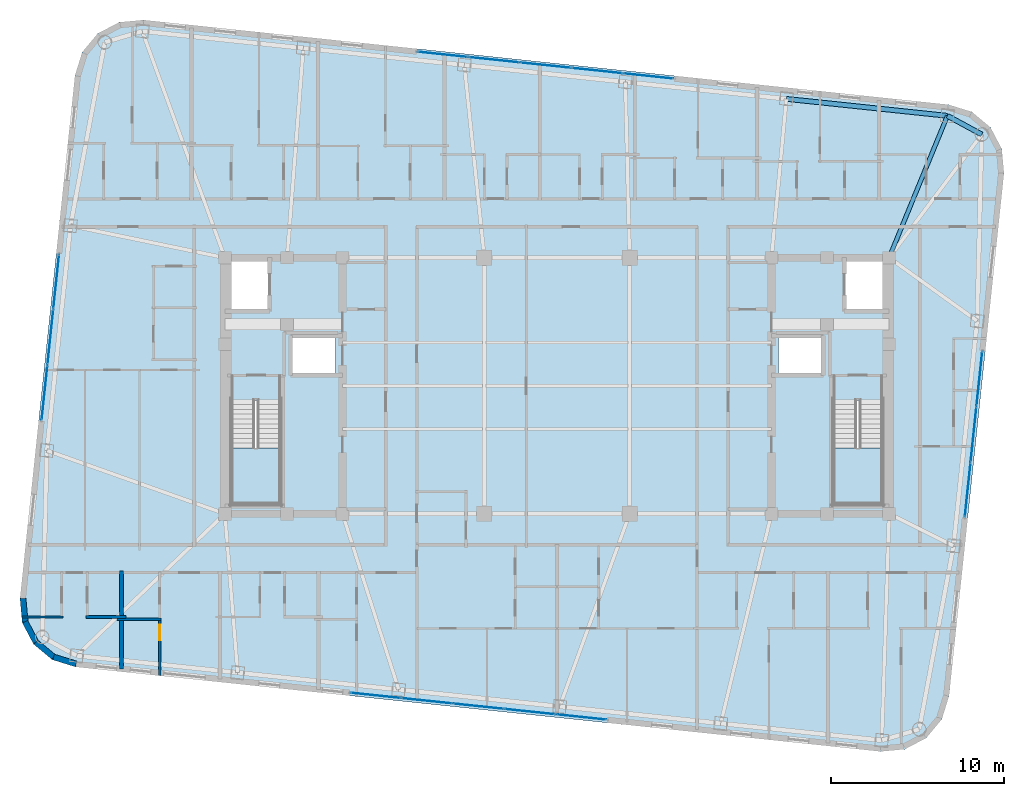
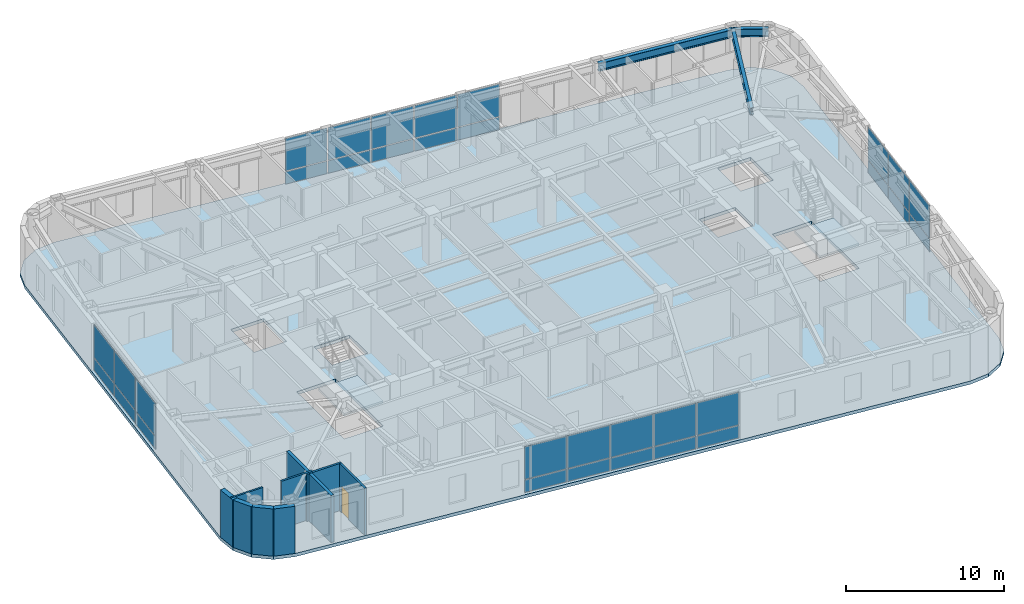
# One storey, part 14 of 23: 32 plates, 9 walls, 3 beams, 3 slabs, 1 door, 1 opening, 6 elements without a shape of their own.
"""IFC4 building model written with IfcOpenShell, lengths in metres."""

from ifc_helpers import new_model, si_unit, direction, frame, frame_2d, origin, origin_2d, place, context, subcontext, project, spatial, polyline, rectangle, i_section, outline, extrude, material, layer, layer_set, material_profile, profile_set, type_object, element, fill, aggregate, save


model = new_model("IFC4")

# Units and contexts
model_context = context("Model", 3, precision=1e-05, world=origin(), true_north=direction((0.0, 1.0)))
body_context = subcontext(model_context, "Body", "Model", "MODEL_VIEW")
ifc_project = project(units=[si_unit("LENGTHUNIT", "METRE"), si_unit("AREAUNIT", "SQUARE_METRE"), si_unit("VOLUMEUNIT", "CUBIC_METRE"), si_unit("PLANEANGLEUNIT", "RADIAN"), si_unit("MASSUNIT", "GRAM", prefix="KILO")], contexts=[model_context])

# Site, building, storey
site_placement = place(None, origin())
site = spatial("IfcSite", under=ifc_project, at=site_placement, CompositionType="ELEMENT")
building_placement = place(site_placement, origin())
building = spatial("IfcBuilding", under=site, at=building_placement, Name="Voryun Gate Residences", CompositionType="ELEMENT")
storey_placement = place(building_placement, frame((0.0, 0.0, 275.60009765625)))
storey = spatial("IfcBuildingStorey", under=building, at=storey_placement, Name="L68", CompositionType="ELEMENT", Elevation=275.60009765625)

# Beams
ifc_material_1 = material(Name="Steel SM355", Category="steel")
ifc_material_profile_1 = material_profile(ifc_material_1, i_section(OverallWidth=0.280029296875, OverallDepth=0.6201171875, WebThickness=0.013916015625, FlangeThickness=0.02197265625, FilletRadius=0.01806640625, at=origin_2d()), Name="H-620x280x14x22")
ifc_profile_set_1 = profile_set([ifc_material_profile_1], Name="Steel SM355")
beam_type_1 = type_object("IfcBeamType", Name="BM_EXO_SPANDREL_H", PredefinedType="SPANDREL", material=ifc_profile_set_1)
beam_1_placement = place(storey_placement, frame((24.55322265625, 14.52734375, 3.33984375), z_axis=(-0.878844363117, 0.477108567746, 0.0), x_axis=(-0.477108567746, -0.878844363117, 0.0)))
element("IfcBeam", 1, at=beam_1_placement, inside=storey, type_object=beam_type_1, Name="BM-L68-SPAND-10", PredefinedType="SPANDREL", context=body_context, shape_type="SweptSolid", body=[
    extrude(i_section(OverallWidth=0.280029296875, OverallDepth=0.6201171875, WebThickness=0.013916015625, FlangeThickness=0.02197265625, FilletRadius=0.01806640625, at=origin_2d()), origin(), (0.0, 0.0, 1.0), 2.257568359375),
])
beam_2_placement = place(storey_placement, frame((22.569091796875, 15.6044921875, 3.33984375), z_axis=(-0.994520592114, 0.104540862157, 0.0), x_axis=(-0.104540862157, -0.994520592114, 0.0)))
element("IfcBeam", 2, at=beam_2_placement, inside=storey, type_object=beam_type_1, Name="BM-L68-SPAND-11", PredefinedType="SPANDREL", context=body_context, shape_type="SweptSolid", body=[
    extrude(i_section(OverallWidth=0.280029296875, OverallDepth=0.6201171875, WebThickness=0.013916015625, FlangeThickness=0.02197265625, FilletRadius=0.01806640625, at=origin_2d()), origin(), (0.0, 0.0, 1.0), 9.360107421875),
])
ifc_material_2 = material(Name="Steel SM355", Category="steel")
ifc_material_profile_2 = material_profile(ifc_material_2, i_section(OverallWidth=0.239990234375, OverallDepth=0.550048828125, WebThickness=0.011962890625, FlangeThickness=0.02001953125, FilletRadius=0.01806640625, at=origin_2d()), Name="H-550x240x12x20")
ifc_profile_set_2 = profile_set([ifc_material_profile_2], Name="Steel SM355")
beam_type_2 = type_object("IfcBeamType", Name="BM_GIRD_550", PredefinedType="USERDEFINED", material=ifc_profile_set_2)
beam_3_placement = place(storey_placement, frame((19.199951171875, 7.39990234375, 3.375), z_axis=(0.379860811741, 0.925043655026, 0.0), x_axis=(-0.925043655026, 0.379860811741, 0.0)))
element("IfcBeam", 3, at=beam_3_placement, inside=storey, type_object=beam_type_2, Name="BM-L68-RAD-N1", ObjectType="GIRDER", PredefinedType="USERDEFINED", context=body_context, shape_type="SweptSolid", body=[
    extrude(i_section(OverallWidth=0.239990234375, OverallDepth=0.550048828125, WebThickness=0.011962890625, FlangeThickness=0.02001953125, FilletRadius=0.01806640625, at=origin_2d()), origin(), (0.0, 0.0, 1.0), 8.869384765625),
])

# Curtain wall, plates
ifc_material_3 = material(Name="Anodised aluminium", Category="aluminium")
ifc_layer_1 = layer(ifc_material_3, 0.18994140625, Name="CW_SYS_RES_B_DARK_GLASS")
ifc_layer_set_1 = layer_set([ifc_layer_1], Name="Anodised aluminium")
curtain_wall_type = type_object("IfcCurtainWallType", Name="CW_SYS_RES_B_DARK_GLASS", PredefinedType="NOTDEFINED", material=ifc_layer_set_1)
curtain_wall_1_placement = place(storey_placement, origin())
curtain_wall_1 = element("IfcCurtainWall", 4, at=curtain_wall_1_placement, inside=storey, type_object=curtain_wall_type, Name="Curtain wall CWT-L68-01", PredefinedType="NOTDEFINED")
ifc_material_4 = material(Name="Laminated low-E glass", Category="glass")
ifc_layer_2 = layer(ifc_material_4, 0.0439453125, Name="PLT_GLASS_DARK_RES")
ifc_layer_set_2 = layer_set([ifc_layer_2], Name="Laminated low-E glass")
plate_type = type_object("IfcPlateType", Name="PLT_GLASS_DARK_RES", PredefinedType="CURTAIN_PANEL", material=ifc_layer_set_2)
plate_1_placement = place(storey_placement, frame((1.39111328125, -19.152099609375, 0.059814453125), z_axis=(0.0, 0.0, 1.0), x_axis=(-0.994521880536, 0.104528604386, 0.0)))
plate_1 = element("IfcPlate", 5, at=plate_1_placement, type_object=plate_type, Name="CW4 panel 1.1", PredefinedType="CURTAIN_PANEL", context=body_context, shape_type="SweptSolid", body=[
    extrude(rectangle(XDim=2.903076171875, YDim=0.028076171875, at=origin_2d()), origin(), (0.0, 0.0, 1.0), 0.9599609375),
])
plate_2_placement = place(storey_placement, frame((1.39111328125, -19.152099609375, 1.080078125), z_axis=(0.0, 0.0, 1.0), x_axis=(-0.994521880536, 0.104528604386, 0.0)))
plate_2 = element("IfcPlate", 6, at=plate_2_placement, type_object=plate_type, Name="CW4 panel 1.2", PredefinedType="CURTAIN_PANEL", context=body_context, shape_type="SweptSolid", body=[
    extrude(rectangle(XDim=2.903076171875, YDim=0.028076171875, at=origin_2d()), origin(), (0.0, 0.0, 1.0), 2.510009765625),
])
plate_3_placement = place(storey_placement, frame((-1.57080078125, -18.8408203125, 0.059814453125), z_axis=(0.0, 0.0, 1.0), x_axis=(-0.994521880536, 0.104528604386, 0.0)))
plate_3 = element("IfcPlate", 7, at=plate_3_placement, type_object=plate_type, Name="CW4 panel 2.1", PredefinedType="CURTAIN_PANEL", context=body_context, shape_type="SweptSolid", body=[
    extrude(rectangle(XDim=2.93310546875, YDim=0.028076171875, at=origin_2d()), origin(), (0.0, 0.0, 1.0), 0.9599609375),
])
plate_4_placement = place(storey_placement, frame((-1.57080078125, -18.8408203125, 1.080078125), z_axis=(0.0, 0.0, 1.0), x_axis=(-0.994521880536, 0.104528604386, 0.0)))
plate_4 = element("IfcPlate", 8, at=plate_4_placement, type_object=plate_type, Name="CW4 panel 2.2", PredefinedType="CURTAIN_PANEL", context=body_context, shape_type="SweptSolid", body=[
    extrude(rectangle(XDim=2.93310546875, YDim=0.028076171875, at=origin_2d()), origin(), (0.0, 0.0, 1.0), 2.510009765625),
])
plate_5_placement = place(storey_placement, frame((-4.54736328125, -18.52783203125, 0.059814453125), z_axis=(0.0, 0.0, 1.0), x_axis=(-0.994521880536, 0.104528604386, 0.0)))
plate_5 = element("IfcPlate", 9, at=plate_5_placement, type_object=plate_type, Name="CW4 panel 3.1", PredefinedType="CURTAIN_PANEL", context=body_context, shape_type="SweptSolid", body=[
    extrude(rectangle(XDim=2.93310546875, YDim=0.028076171875, at=origin_2d()), origin(), (0.0, 0.0, 1.0), 0.9599609375),
])
plate_6_placement = place(storey_placement, frame((-4.54736328125, -18.52783203125, 1.080078125), z_axis=(0.0, 0.0, 1.0), x_axis=(-0.994521880536, 0.104528604386, 0.0)))
plate_6 = element("IfcPlate", 10, at=plate_6_placement, type_object=plate_type, Name="CW4 panel 3.2", PredefinedType="CURTAIN_PANEL", context=body_context, shape_type="SweptSolid", body=[
    extrude(rectangle(XDim=2.93310546875, YDim=0.028076171875, at=origin_2d()), origin(), (0.0, 0.0, 1.0), 2.510009765625),
])
plate_7_placement = place(storey_placement, frame((-7.52392578125, -18.215087890625, 0.059814453125), z_axis=(0.0, 0.0, 1.0), x_axis=(-0.994521880536, 0.104528604386, 0.0)))
plate_7 = element("IfcPlate", 11, at=plate_7_placement, type_object=plate_type, Name="CW4 panel 4.1", PredefinedType="CURTAIN_PANEL", context=body_context, shape_type="SweptSolid", body=[
    extrude(rectangle(XDim=2.93310546875, YDim=0.028076171875, at=origin_2d()), origin(), (0.0, 0.0, 1.0), 0.9599609375),
])
plate_8_placement = place(storey_placement, frame((-7.52392578125, -18.215087890625, 1.080078125), z_axis=(0.0, 0.0, 1.0), x_axis=(-0.994521880536, 0.104528604386, 0.0)))
plate_8 = element("IfcPlate", 12, at=plate_8_placement, type_object=plate_type, Name="CW4 panel 4.2", PredefinedType="CURTAIN_PANEL", context=body_context, shape_type="SweptSolid", body=[
    extrude(rectangle(XDim=2.93310546875, YDim=0.028076171875, at=origin_2d()), origin(), (0.0, 0.0, 1.0), 2.510009765625),
])
plate_9_placement = place(storey_placement, frame((-10.48583984375, -17.90380859375, 0.059814453125), z_axis=(0.0, 0.0, 1.0), x_axis=(-0.994521880536, 0.104528604386, 0.0)))
plate_9 = element("IfcPlate", 13, at=plate_9_placement, type_object=plate_type, Name="CW4 panel 5.1", PredefinedType="CURTAIN_PANEL", context=body_context, shape_type="SweptSolid", body=[
    extrude(rectangle(XDim=2.903076171875, YDim=0.028076171875, at=origin_2d()), origin(), (0.0, 0.0, 1.0), 0.9599609375),
])
plate_10_placement = place(storey_placement, frame((-10.48583984375, -17.90380859375, 1.080078125), z_axis=(0.0, 0.0, 1.0), x_axis=(-0.994521880536, 0.104528604386, 0.0)))
plate_10 = element("IfcPlate", 14, at=plate_10_placement, type_object=plate_type, Name="CW4 panel 5.2", PredefinedType="CURTAIN_PANEL", context=body_context, shape_type="SweptSolid", body=[
    extrude(rectangle(XDim=2.903076171875, YDim=0.028076171875, at=origin_2d()), origin(), (0.0, 0.0, 1.0), 2.510009765625),
])
aggregate(curtain_wall_1, [plate_1, plate_2, plate_3, plate_4, plate_5, plate_6, plate_7, plate_8, plate_9, plate_10])

curtain_wall_2_placement = place(storey_placement, origin())
curtain_wall_2 = element("IfcCurtainWall", 15, at=curtain_wall_2_placement, inside=storey, type_object=curtain_wall_type, Name="Curtain wall CWT-L68-06", PredefinedType="NOTDEFINED")
plate_11_placement = place(storey_placement, frame((-29.6201171875, -0.40185546875, 0.059814453125), z_axis=(0.0, 0.0, 1.0), x_axis=(0.10453586005, 0.994521117907, 0.0)))
plate_11 = element("IfcPlate", 16, at=plate_11_placement, type_object=plate_type, Name="CW4 panel 1.1", PredefinedType="CURTAIN_PANEL", context=body_context, shape_type="SweptSolid", body=[
    extrude(rectangle(XDim=3.149169921875, YDim=0.028076171875, at=origin_2d()), origin(), (0.0, 0.0, 1.0), 0.9599609375),
])
plate_12_placement = place(storey_placement, frame((-29.6201171875, -0.40185546875, 1.080078125), z_axis=(0.0, 0.0, 1.0), x_axis=(0.10453586005, 0.994521117907, 0.0)))
plate_12 = element("IfcPlate", 17, at=plate_12_placement, type_object=plate_type, Name="CW4 panel 1.2", PredefinedType="CURTAIN_PANEL", context=body_context, shape_type="SweptSolid", body=[
    extrude(rectangle(XDim=3.149169921875, YDim=0.028076171875, at=origin_2d()), origin(), (0.0, 0.0, 1.0), 2.510009765625),
])
plate_13_placement = place(storey_placement, frame((-29.282958984375, 2.804443359375, 0.059814453125), z_axis=(0.0, 0.0, 1.0), x_axis=(0.10453586005, 0.994521117907, 0.0)))
plate_13 = element("IfcPlate", 18, at=plate_13_placement, type_object=plate_type, Name="CW4 panel 2.1", PredefinedType="CURTAIN_PANEL", context=body_context, shape_type="SweptSolid", body=[
    extrude(rectangle(XDim=3.17919921875, YDim=0.028076171875, at=origin_2d()), origin(), (0.0, 0.0, 1.0), 0.9599609375),
])
plate_14_placement = place(storey_placement, frame((-29.282958984375, 2.804443359375, 1.080078125), z_axis=(0.0, 0.0, 1.0), x_axis=(0.10453586005, 0.994521117907, 0.0)))
plate_14 = element("IfcPlate", 19, at=plate_14_placement, type_object=plate_type, Name="CW4 panel 2.2", PredefinedType="CURTAIN_PANEL", context=body_context, shape_type="SweptSolid", body=[
    extrude(rectangle(XDim=3.17919921875, YDim=0.028076171875, at=origin_2d()), origin(), (0.0, 0.0, 1.0), 2.510009765625),
])
plate_15_placement = place(storey_placement, frame((-28.946044921875, 6.010986328125, 0.059814453125), z_axis=(0.0, 0.0, 1.0), x_axis=(0.10453586005, 0.994521117907, 0.0)))
plate_15 = element("IfcPlate", 20, at=plate_15_placement, type_object=plate_type, Name="CW4 panel 3.1", PredefinedType="CURTAIN_PANEL", context=body_context, shape_type="SweptSolid", body=[
    extrude(rectangle(XDim=3.149169921875, YDim=0.028076171875, at=origin_2d()), origin(), (0.0, 0.0, 1.0), 0.9599609375),
])
plate_16_placement = place(storey_placement, frame((-28.946044921875, 6.010986328125, 1.080078125), z_axis=(0.0, 0.0, 1.0), x_axis=(0.10453586005, 0.994521117907, 0.0)))
plate_16 = element("IfcPlate", 21, at=plate_16_placement, type_object=plate_type, Name="CW4 panel 3.2", PredefinedType="CURTAIN_PANEL", context=body_context, shape_type="SweptSolid", body=[
    extrude(rectangle(XDim=3.149169921875, YDim=0.028076171875, at=origin_2d()), origin(), (0.0, 0.0, 1.0), 2.510009765625),
])
aggregate(curtain_wall_2, [plate_11, plate_12, plate_13, plate_14, plate_15, plate_16])

curtain_wall_3_placement = place(storey_placement, origin())
curtain_wall_3 = element("IfcCurtainWall", 22, at=curtain_wall_3_placement, inside=storey, type_object=curtain_wall_type, Name="Curtain wall CWT-L68-11", PredefinedType="NOTDEFINED")
plate_17_placement = place(storey_placement, frame((-6.591064453125, 19.152099609375, 0.059814453125), z_axis=(0.0, 0.0, 1.0), x_axis=(0.994521880536, -0.104528604386, 0.0)))
plate_17 = element("IfcPlate", 23, at=plate_17_placement, type_object=plate_type, Name="CW4 panel 1.1", PredefinedType="CURTAIN_PANEL", context=body_context, shape_type="SweptSolid", body=[
    extrude(rectangle(XDim=2.903076171875, YDim=0.028076171875, at=origin_2d()), origin(), (0.0, 0.0, 1.0), 0.9599609375),
])
plate_18_placement = place(storey_placement, frame((-6.591064453125, 19.152099609375, 1.080078125), z_axis=(0.0, 0.0, 1.0), x_axis=(0.994521880536, -0.104528604386, 0.0)))
plate_18 = element("IfcPlate", 24, at=plate_18_placement, type_object=plate_type, Name="CW4 panel 1.2", PredefinedType="CURTAIN_PANEL", context=body_context, shape_type="SweptSolid", body=[
    extrude(rectangle(XDim=2.903076171875, YDim=0.028076171875, at=origin_2d()), origin(), (0.0, 0.0, 1.0), 2.510009765625),
])
plate_19_placement = place(storey_placement, frame((-3.62939453125, 18.8408203125, 0.059814453125), z_axis=(0.0, 0.0, 1.0), x_axis=(0.994521880536, -0.104528604386, 0.0)))
plate_19 = element("IfcPlate", 25, at=plate_19_placement, type_object=plate_type, Name="CW4 panel 2.1", PredefinedType="CURTAIN_PANEL", context=body_context, shape_type="SweptSolid", body=[
    extrude(rectangle(XDim=2.93310546875, YDim=0.028076171875, at=origin_2d()), origin(), (0.0, 0.0, 1.0), 0.9599609375),
])
plate_20_placement = place(storey_placement, frame((-3.62939453125, 18.8408203125, 1.080078125), z_axis=(0.0, 0.0, 1.0), x_axis=(0.994521880536, -0.104528604386, 0.0)))
plate_20 = element("IfcPlate", 26, at=plate_20_placement, type_object=plate_type, Name="CW4 panel 2.2", PredefinedType="CURTAIN_PANEL", context=body_context, shape_type="SweptSolid", body=[
    extrude(rectangle(XDim=2.93310546875, YDim=0.028076171875, at=origin_2d()), origin(), (0.0, 0.0, 1.0), 2.510009765625),
])
plate_21_placement = place(storey_placement, frame((-0.652587890625, 18.52783203125, 0.059814453125), z_axis=(0.0, 0.0, 1.0), x_axis=(0.994521880536, -0.104528604386, 0.0)))
plate_21 = element("IfcPlate", 27, at=plate_21_placement, type_object=plate_type, Name="CW4 panel 3.1", PredefinedType="CURTAIN_PANEL", context=body_context, shape_type="SweptSolid", body=[
    extrude(rectangle(XDim=2.93310546875, YDim=0.028076171875, at=origin_2d()), origin(), (0.0, 0.0, 1.0), 0.9599609375),
])
plate_22_placement = place(storey_placement, frame((-0.652587890625, 18.52783203125, 1.080078125), z_axis=(0.0, 0.0, 1.0), x_axis=(0.994521880536, -0.104528604386, 0.0)))
plate_22 = element("IfcPlate", 28, at=plate_22_placement, type_object=plate_type, Name="CW4 panel 3.2", PredefinedType="CURTAIN_PANEL", context=body_context, shape_type="SweptSolid", body=[
    extrude(rectangle(XDim=2.93310546875, YDim=0.028076171875, at=origin_2d()), origin(), (0.0, 0.0, 1.0), 2.510009765625),
])
plate_23_placement = place(storey_placement, frame((2.323974609375, 18.215087890625, 0.059814453125), z_axis=(0.0, 0.0, 1.0), x_axis=(0.994521880536, -0.104528604386, 0.0)))
plate_23 = element("IfcPlate", 29, at=plate_23_placement, type_object=plate_type, Name="CW4 panel 4.1", PredefinedType="CURTAIN_PANEL", context=body_context, shape_type="SweptSolid", body=[
    extrude(rectangle(XDim=2.93310546875, YDim=0.028076171875, at=origin_2d()), origin(), (0.0, 0.0, 1.0), 0.9599609375),
])
plate_24_placement = place(storey_placement, frame((2.323974609375, 18.215087890625, 1.080078125), z_axis=(0.0, 0.0, 1.0), x_axis=(0.994521880536, -0.104528604386, 0.0)))
plate_24 = element("IfcPlate", 30, at=plate_24_placement, type_object=plate_type, Name="CW4 panel 4.2", PredefinedType="CURTAIN_PANEL", context=body_context, shape_type="SweptSolid", body=[
    extrude(rectangle(XDim=2.93310546875, YDim=0.028076171875, at=origin_2d()), origin(), (0.0, 0.0, 1.0), 2.510009765625),
])
plate_25_placement = place(storey_placement, frame((5.28564453125, 17.90380859375, 0.059814453125), z_axis=(0.0, 0.0, 1.0), x_axis=(0.994521880536, -0.104528604386, 0.0)))
plate_25 = element("IfcPlate", 31, at=plate_25_placement, type_object=plate_type, Name="CW4 panel 5.1", PredefinedType="CURTAIN_PANEL", context=body_context, shape_type="SweptSolid", body=[
    extrude(rectangle(XDim=2.903076171875, YDim=0.028076171875, at=origin_2d()), origin(), (0.0, 0.0, 1.0), 0.9599609375),
])
plate_26_placement = place(storey_placement, frame((5.28564453125, 17.90380859375, 1.080078125), z_axis=(0.0, 0.0, 1.0), x_axis=(0.994521880536, -0.104528604386, 0.0)))
plate_26 = element("IfcPlate", 32, at=plate_26_placement, type_object=plate_type, Name="CW4 panel 5.2", PredefinedType="CURTAIN_PANEL", context=body_context, shape_type="SweptSolid", body=[
    extrude(rectangle(XDim=2.903076171875, YDim=0.028076171875, at=origin_2d()), origin(), (0.0, 0.0, 1.0), 2.510009765625),
])
aggregate(curtain_wall_3, [plate_17, plate_18, plate_19, plate_20, plate_21, plate_22, plate_23, plate_24, plate_25, plate_26])

curtain_wall_4_placement = place(storey_placement, origin())
curtain_wall_4 = element("IfcCurtainWall", 33, at=curtain_wall_4_placement, inside=storey, type_object=curtain_wall_type, Name="Curtain wall CWT-L68-16", PredefinedType="NOTDEFINED")
plate_27_placement = place(storey_placement, frame((24.419921875, 0.40185546875, 0.059814453125), z_axis=(0.0, 0.0, 1.0), x_axis=(-0.10453586005, -0.994521117907, 0.0)))
plate_27 = element("IfcPlate", 34, at=plate_27_placement, type_object=plate_type, Name="CW4 panel 1.1", PredefinedType="CURTAIN_PANEL", context=body_context, shape_type="SweptSolid", body=[
    extrude(rectangle(XDim=3.149169921875, YDim=0.028076171875, at=origin_2d()), origin(), (0.0, 0.0, 1.0), 0.9599609375),
])
plate_28_placement = place(storey_placement, frame((24.419921875, 0.40185546875, 1.080078125), z_axis=(0.0, 0.0, 1.0), x_axis=(-0.10453586005, -0.994521117907, 0.0)))
plate_28 = element("IfcPlate", 35, at=plate_28_placement, type_object=plate_type, Name="CW4 panel 1.2", PredefinedType="CURTAIN_PANEL", context=body_context, shape_type="SweptSolid", body=[
    extrude(rectangle(XDim=3.149169921875, YDim=0.028076171875, at=origin_2d()), origin(), (0.0, 0.0, 1.0), 2.510009765625),
])
plate_29_placement = place(storey_placement, frame((24.0830078125, -2.804443359375, 0.059814453125), z_axis=(0.0, 0.0, 1.0), x_axis=(-0.10453586005, -0.994521117907, 0.0)))
plate_29 = element("IfcPlate", 36, at=plate_29_placement, type_object=plate_type, Name="CW4 panel 2.1", PredefinedType="CURTAIN_PANEL", context=body_context, shape_type="SweptSolid", body=[
    extrude(rectangle(XDim=3.17919921875, YDim=0.028076171875, at=origin_2d()), origin(), (0.0, 0.0, 1.0), 0.9599609375),
])
plate_30_placement = place(storey_placement, frame((24.0830078125, -2.804443359375, 1.080078125), z_axis=(0.0, 0.0, 1.0), x_axis=(-0.10453586005, -0.994521117907, 0.0)))
plate_30 = element("IfcPlate", 37, at=plate_30_placement, type_object=plate_type, Name="CW4 panel 2.2", PredefinedType="CURTAIN_PANEL", context=body_context, shape_type="SweptSolid", body=[
    extrude(rectangle(XDim=3.17919921875, YDim=0.028076171875, at=origin_2d()), origin(), (0.0, 0.0, 1.0), 2.510009765625),
])
plate_31_placement = place(storey_placement, frame((23.745849609375, -6.010986328125, 0.059814453125), z_axis=(0.0, 0.0, 1.0), x_axis=(-0.10453586005, -0.994521117907, 0.0)))
plate_31 = element("IfcPlate", 38, at=plate_31_placement, type_object=plate_type, Name="CW4 panel 3.1", PredefinedType="CURTAIN_PANEL", context=body_context, shape_type="SweptSolid", body=[
    extrude(rectangle(XDim=3.149169921875, YDim=0.028076171875, at=origin_2d()), origin(), (0.0, 0.0, 1.0), 0.9599609375),
])
plate_32_placement = place(storey_placement, frame((23.745849609375, -6.010986328125, 1.080078125), z_axis=(0.0, 0.0, 1.0), x_axis=(-0.10453586005, -0.994521117907, 0.0)))
plate_32 = element("IfcPlate", 39, at=plate_32_placement, type_object=plate_type, Name="CW4 panel 3.2", PredefinedType="CURTAIN_PANEL", context=body_context, shape_type="SweptSolid", body=[
    extrude(rectangle(XDim=3.149169921875, YDim=0.028076171875, at=origin_2d()), origin(), (0.0, 0.0, 1.0), 2.510009765625),
])
aggregate(curtain_wall_4, [plate_27, plate_28, plate_29, plate_30, plate_31, plate_32])

# Slab
ifc_material_5 = material(Name="Concrete C40/50", Category="concrete")
ifc_layer_3 = layer(ifc_material_5, 0.25, Name="SLB_RES_250")
ifc_layer_set_3 = layer_set([ifc_layer_3], Name="Concrete C40/50")
slab_type_1 = type_object("IfcSlabType", Name="SLB_RES_250", PredefinedType="FLOOR", material=ifc_layer_set_3)
slab_1_placement = place(storey_placement, frame((0.0, 0.0, -0.25)))
element("IfcSlab", 40, at=slab_1_placement, inside=storey, type_object=slab_type_1, Name="L68 Structural Floor Slab", PredefinedType="FLOOR", context=body_context, shape_type="SweptSolid", body=[
    extrude(outline(polyline([(-27.8369140625, -16.2509765625), (-29.178466796875, -15.83447265625), (-30.25830078125, -14.936279296875), (-30.912353515625, -13.693115234375), (-31.041015625, -12.29443359375), (-27.86328125, 17.93896484375), (-27.44677734375, 19.280517578125), (-26.548583984375, 20.3603515625), (-25.305419921875, 21.014404296875), (-23.90673828125, 21.14306640625), (22.636962890625, 16.2509765625), (23.978515625, 15.83447265625), (25.058349609375, 14.936279296875), (25.71240234375, 13.693115234375), (25.8408203125, 12.29443359375), (22.663330078125, -17.93896484375), (22.246826171875, -19.280517578125), (21.3486328125, -20.3603515625), (20.10546875, -21.014404296875), (18.706787109375, -21.14306640625), (-27.8369140625, -16.2509765625)]), holes=[polyline([(-15.97509765625, -0.840087890625), (-18.824951171875, -0.840087890625), (-18.824951171875, -6.85009765625), (-15.97509765625, -6.85009765625), (-15.97509765625, -0.840087890625)]), polyline([(18.824951171875, -6.85009765625), (18.824951171875, -0.840087890625), (15.97509765625, -0.840087890625), (15.97509765625, -6.85009765625), (18.824951171875, -6.85009765625)]), polyline([(-12.800048828125, 2.89990234375), (-15.39990234375, 2.89990234375), (-15.39990234375, 0.60009765625), (-12.800048828125, 0.60009765625), (-12.800048828125, 2.89990234375)]), polyline([(12.800048828125, 2.89990234375), (12.800048828125, 0.60009765625), (15.39990234375, 0.60009765625), (15.39990234375, 2.89990234375), (12.800048828125, 2.89990234375)]), polyline([(-16.60009765625, 7.199951171875), (-19.0, 7.199951171875), (-19.0, 4.300048828125), (-16.60009765625, 4.300048828125), (-16.60009765625, 7.199951171875)]), polyline([(19.0, 7.199951171875), (16.60009765625, 7.199951171875), (16.60009765625, 4.300048828125), (19.0, 4.300048828125), (19.0, 7.199951171875)])]), origin(), (0.0, 0.0, 1.0), 0.25),
])

# Stair, slab
ifc_material_6 = material(Name="Concrete C40/50", Category="concrete")
stair_type = type_object("IfcStairType", Name="STR_CORE_DOGLEG_1350", PredefinedType="HALF_TURN_STAIR", material=ifc_material_6)
stair_1_placement = place(storey_placement, origin())
stair_1 = element("IfcStair", 41, at=stair_1_placement, inside=storey, type_object=stair_type, Name="L68 Special Escape Stair ST-W1", PredefinedType="HALF_TURN_STAIR")
ifc_material_7 = material(Name="Concrete C40/50", Category="concrete")
ifc_layer_4 = layer(ifc_material_7, 0.199951171875, Name="SLB_STAIR_LANDING_200")
ifc_layer_set_4 = layer_set([ifc_layer_4], Name="Concrete C40/50")
slab_type_2 = type_object("IfcSlabType", Name="SLB_STAIR_LANDING_200", PredefinedType="LANDING", material=ifc_layer_set_4)
slab_2_placement = place(storey_placement, frame((0.0, 0.0, 1.75)))
slab_2 = element("IfcSlab", 42, at=slab_2_placement, type_object=slab_type_2, Name="ST-W1 landing 1", PredefinedType="LANDING", context=body_context, shape_type="SweptSolid", body=[
    extrude(outline(polyline([(-18.824951171875, -3.60009765625), (-18.824951171875, -6.85009765625), (-15.97509765625, -6.85009765625), (-15.97509765625, -3.60009765625), (-18.824951171875, -3.60009765625)])), origin(), (0.0, 0.0, 1.0), 0.199951171875),
])
aggregate(stair_1, [slab_2])

stair_2_placement = place(storey_placement, origin())
stair_2 = element("IfcStair", 43, at=stair_2_placement, inside=storey, type_object=stair_type, Name="L68 Special Escape Stair ST-E1", PredefinedType="HALF_TURN_STAIR")
slab_3_placement = place(storey_placement, frame((0.0, 0.0, 1.75)))
slab_3 = element("IfcSlab", 44, at=slab_3_placement, type_object=slab_type_2, Name="ST-E1 landing 1", PredefinedType="LANDING", context=body_context, shape_type="SweptSolid", body=[
    extrude(outline(polyline([(15.97509765625, -3.60009765625), (15.97509765625, -6.85009765625), (18.824951171875, -6.85009765625), (18.824951171875, -3.60009765625), (15.97509765625, -3.60009765625)])), origin(), (0.0, 0.0, 1.0), 0.199951171875),
])
aggregate(stair_2, [slab_3])

# Walls
ifc_material_8 = material(Name="Charcoal terracotta masonry", Category="masonry")
ifc_layer_5 = layer(ifc_material_8, 0.340087890625, Name="W_EXT_TERRACOTTA_340")
ifc_layer_set_5 = layer_set([ifc_layer_5], Name="Charcoal terracotta masonry")
wall_type_1 = type_object("IfcWallType", Name="W_EXT_TERRACOTTA_340", PredefinedType="ELEMENTEDWALL", material=ifc_layer_set_5)
wall_1_placement = place(storey_placement, frame((-27.802490234375, -16.083740234375, 0.0), z_axis=(0.0, 0.0, 1.0), x_axis=(-0.955007802701, 0.296580674994, 0.0)))
element("IfcWall", 45, at=wall_1_placement, inside=storey, type_object=wall_type_1, Name="Exterior wall WEXT-L68-02", PredefinedType="ELEMENTEDWALL", context=body_context, shape_type="SweptSolid", body=[
    extrude(rectangle(XDim=1.354248046875, YDim=0.340087890625, at=frame_2d((0.67724609375, 0.0))), origin(), (0.0, 0.0, 1.0), 3.64990234375),
])
wall_2_placement = place(storey_placement, frame((-29.095703125, -15.68212890625, 0.0), z_axis=(0.0, 0.0, 1.0), x_axis=(-0.768864427906, 0.639411832469, 0.0)))
element("IfcWall", 46, at=wall_2_placement, inside=storey, type_object=wall_type_1, Name="Exterior wall WEXT-L68-03", PredefinedType="ELEMENTEDWALL", context=body_context, shape_type="SweptSolid", body=[
    extrude(rectangle(XDim=1.337158203125, YDim=0.340087890625, at=frame_2d((0.66845703125, 0.0))), origin(), (0.0, 0.0, 1.0), 3.64990234375),
])
wall_3_placement = place(storey_placement, frame((-30.123779296875, -14.8271484375, 0.0), z_axis=(0.0, 0.0, 1.0), x_axis=(-0.465528132217, 0.885033083062, 0.0)))
element("IfcWall", 47, at=wall_3_placement, inside=storey, type_object=wall_type_1, Name="Exterior wall WEXT-L68-04", PredefinedType="ELEMENTEDWALL", context=body_context, shape_type="SweptSolid", body=[
    extrude(rectangle(XDim=1.3369140625, YDim=0.340087890625, at=frame_2d((0.66845703125, 0.0))), origin(), (0.0, 0.0, 1.0), 3.64990234375),
])
wall_4_placement = place(storey_placement, frame((-30.74609375, -13.64404296875, 0.0), z_axis=(0.0, 0.0, 1.0), x_axis=(-0.091592370975, 0.995796584438, 0.0)))
element("IfcWall", 48, at=wall_4_placement, inside=storey, type_object=wall_type_1, Name="Exterior wall WEXT-L68-05", PredefinedType="ELEMENTEDWALL", context=body_context, shape_type="SweptSolid", body=[
    extrude(rectangle(XDim=1.35400390625, YDim=0.340087890625, at=frame_2d((0.677001953125, 0.0))), origin(), (0.0, 0.0, 1.0), 3.64990234375),
])
ifc_material_9 = material(Name="Concrete C40/50", Category="concrete")
ifc_layer_6 = layer(ifc_material_9, 0.219970703125, Name="W_PARTY_ACOUSTIC_220")
ifc_layer_set_6 = layer_set([ifc_layer_6], Name="Concrete C40/50")
wall_type_2 = type_object("IfcWallType", Name="W_PARTY_ACOUSTIC_220", PredefinedType="PARTITIONING", material=ifc_layer_set_6)
wall_5_placement = place(storey_placement, frame((-25.177978515625, -16.359619140625, 0.0), z_axis=(0.0, 0.0, 1.0), x_axis=(0.0, 1.0, 0.0)))
element("IfcWall", 49, at=wall_5_placement, inside=storey, type_object=wall_type_2, Name="Partition wall WP-L68-SPTY-1", PredefinedType="PARTITIONING", context=body_context, shape_type="SweptSolid", body=[
    extrude(rectangle(XDim=5.6396484375, YDim=0.219970703125, at=frame_2d((2.81982421875, 0.0))), origin(), (0.0, 0.0, 1.0), 3.64990234375),
])
ifc_material_10 = material(Name="Gypsum acoustic partition")
ifc_layer_7 = layer(ifc_material_10, 0.125, Name="W_UNIT_PART_125")
ifc_layer_set_7 = layer_set([ifc_layer_7], Name="Gypsum acoustic partition")
wall_type_3 = type_object("IfcWallType", Name="W_UNIT_PART_125", PredefinedType="PARTITIONING", material=ifc_layer_set_7)
wall_6_placement = place(storey_placement, frame((-30.922119140625, -13.3701171875, 0.0), z_axis=(0.0, 0.0, 1.0), x_axis=(1.0, 0.0, 0.0)))
element("IfcWall", 50, at=wall_6_placement, inside=storey, type_object=wall_type_3, Name="Partition wall WP-L68-S1-CHK", PredefinedType="PARTITIONING", context=body_context, shape_type="SweptSolid", body=[
    extrude(rectangle(XDim=2.355224609375, YDim=0.125, at=frame_2d((1.177734375, 0.0))), origin(), (0.0, 0.0, 1.0), 3.64990234375),
])
ifc_material_11 = material(Name="Gypsum moisture-resistant partition")
ifc_layer_8 = layer(ifc_material_11, 0.14990234375, Name="W_WET_PLUMB_150")
ifc_layer_set_8 = layer_set([ifc_layer_8], Name="Gypsum moisture-resistant partition")
wall_type_4 = type_object("IfcWallType", Name="W_WET_PLUMB_150", PredefinedType="PLUMBINGWALL", material=ifc_layer_set_8)
wall_7_placement = place(storey_placement, frame((-27.215087890625, -13.3701171875, 0.0), z_axis=(0.0, 0.0, 1.0), x_axis=(1.0, 0.0, 0.0)))
element("IfcWall", 51, at=wall_7_placement, inside=storey, type_object=wall_type_4, Name="Partition wall WP-L68-S1-CHB", PredefinedType="PLUMBINGWALL", context=body_context, shape_type="SweptSolid", body=[
    extrude(rectangle(XDim=2.297119140625, YDim=0.14990234375, at=frame_2d((1.1484375, 0.0))), origin(), (0.0, 0.0, 1.0), 3.64990234375),
])
wall_8_placement = place(storey_placement, frame((-25.43798828125, -13.5, 0.0), z_axis=(0.0, 0.0, 1.0), x_axis=(1.0, 0.0, 0.0)))
element("IfcWall", 52, at=wall_8_placement, inside=storey, type_object=wall_type_4, Name="Partition wall WP-L68-S2-SKB", PredefinedType="PLUMBINGWALL", context=body_context, shape_type="SweptSolid", body=[
    extrude(rectangle(XDim=2.550048828125, YDim=0.14990234375, at=frame_2d((1.27490234375, 0.0))), origin(), (0.0, 0.0, 1.0), 3.64990234375),
])

# Wall, opening, door
wall_9_placement = place(storey_placement, frame((-22.968017578125, -16.74267578125, 0.0), z_axis=(0.0, 0.0, 1.0), x_axis=(0.0, 1.0, 0.0)))
wall_9 = element("IfcWall", 53, at=wall_9_placement, inside=storey, type_object=wall_type_4, Name="Partition wall WP-L68-S2-SVT1", PredefinedType="PLUMBINGWALL", context=body_context, shape_type="SweptSolid", body=[
    extrude(rectangle(XDim=3.28271484375, YDim=0.14990234375, at=frame_2d((1.641357421875, 0.0))), origin(), (0.0, 0.0, 1.0), 3.64990234375),
])
opening_placement = place(wall_9_placement, frame((2.021728515625, 0.0, 0.0)))
opening = element("IfcOpeningElement", 54, at=opening_placement, cuts=wall_9, Name="Opening D-INT-2", PredefinedType="OPENING", context=body_context, shape_type="SweptSolid", body=[
    extrude(rectangle(XDim=0.89990234375, YDim=2.050048828125, at=frame_2d((0.449951171875, 1.02490234375))), frame((0.0, 0.0849609375, 0.0), z_axis=(0.0, -1.0, 0.0), x_axis=(1.0, 0.0, 0.0)), (0.0, 0.0, 1.0), 0.169921875),
])
ifc_material_12 = material(Name="Architectural oak veneer")
door_type = type_object("IfcDoorType", Name="DR_INT_BATH_900", OperationType="NOTDEFINED", PredefinedType="DOOR", material=ifc_material_12)
door_placement = place(opening_placement, origin())
door = element("IfcDoor", 55, at=door_placement, inside=storey, type_object=door_type, Name="Door DR-L68-S2-DK", OperationType="SINGLE_SWING_LEFT", OverallHeight=2.050048828125, OverallWidth=0.89990234375, PredefinedType="DOOR", context=body_context, shape_type="SweptSolid", body=[
    extrude(rectangle(XDim=0.89990234375, YDim=2.050048828125, at=frame_2d((0.449951171875, 1.02490234375))), frame((0.0, 0.02490234375, 0.0), z_axis=(0.0, -1.0, 0.0), x_axis=(1.0, 0.0, 0.0)), (0.0, 0.0, 1.0), 0.050048828125),
])
fill(opening, door)

save(model, "model.ifc")
